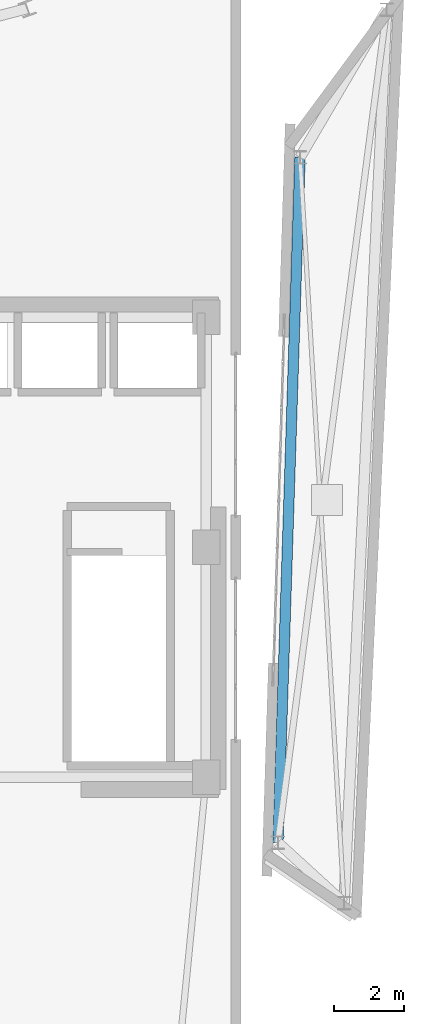
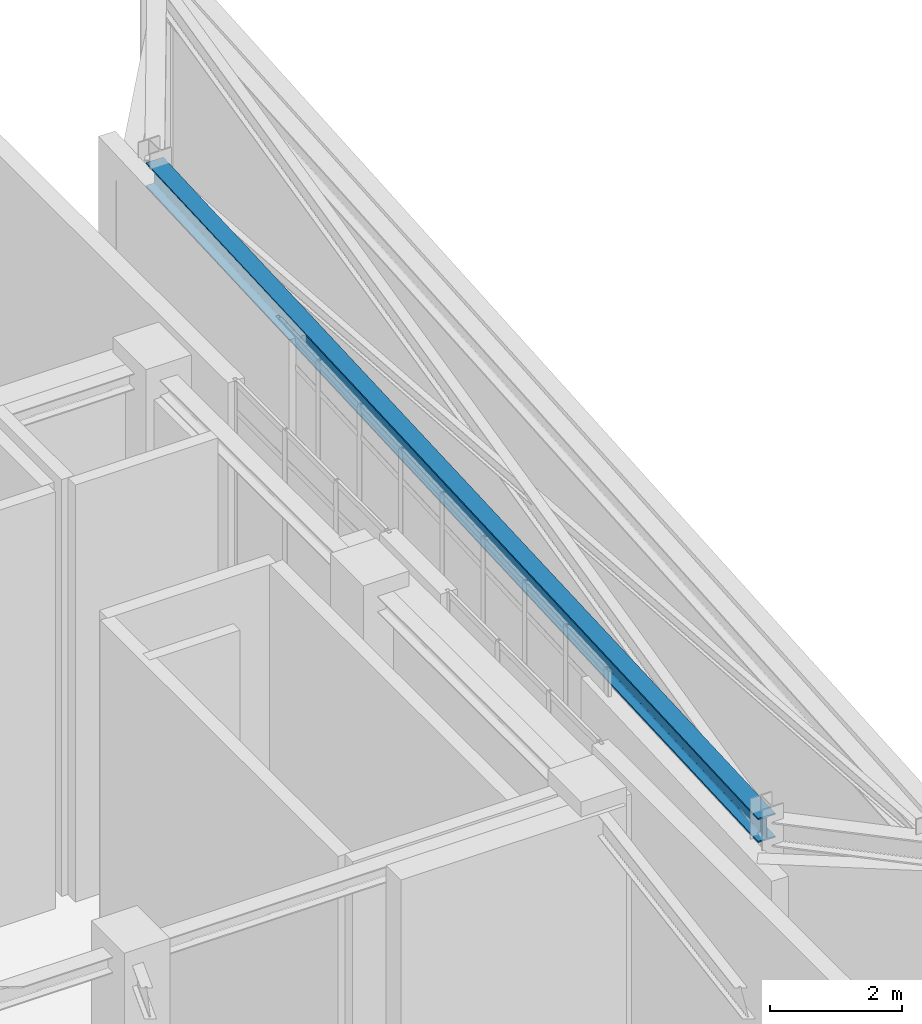
# One storey, part 5 of 12: 1 beam.
"""IFC4 building model written with IfcOpenShell, lengths in metres."""

from ifc_helpers import new_model, si_unit, direction, frame, origin, origin_2d, place, context, subcontext, project, spatial, i_section, extrude, material, material_profile, profile_set, type_object, element, save


model = new_model("IFC4")

# Units and contexts
model_context = context("Model", 3, precision=1e-05, world=origin(), true_north=direction((0.0, 1.0)))
body_context = subcontext(model_context, "Body", "Model", "MODEL_VIEW")
ifc_project = project(units=[si_unit("LENGTHUNIT", "METRE"), si_unit("AREAUNIT", "SQUARE_METRE"), si_unit("VOLUMEUNIT", "CUBIC_METRE"), si_unit("PLANEANGLEUNIT", "RADIAN"), si_unit("MASSUNIT", "GRAM", prefix="KILO")], contexts=[model_context])

# Site, building, storey
site_placement = place(None, origin())
site = spatial("IfcSite", under=ifc_project, at=site_placement, CompositionType="ELEMENT")
building_placement = place(site_placement, origin())
building = spatial("IfcBuilding", under=site, at=building_placement, Name="Ndelora Gate Hotel", CompositionType="ELEMENT")
storey_placement = place(building_placement, frame((0.0, 0.0, 303.60009765625)))
storey = spatial("IfcBuildingStorey", under=building, at=storey_placement, Name="RF1", CompositionType="ELEMENT", Elevation=303.60009765625)

# Beam
ifc_material = material(Name="Steel S355", Category="steel")
ifc_material_profile = material_profile(ifc_material, i_section(OverallWidth=0.300048828125, OverallDepth=0.449951171875, WebThickness=0.013916015625, FlangeThickness=0.02587890625, FilletRadius=0.027099609375, at=origin_2d()), Name="HEB 450")
ifc_profile_set = profile_set([ifc_material_profile], Name="Steel S355")
beam_type = type_object("IfcBeamType", Name="BM-RING-450", PredefinedType="SPANDREL", material=ifc_profile_set)
beam_placement = place(storey_placement, frame((10.692138671875, 11.19091796875, 7.494873046875), z_axis=(-0.032242893106, -0.999480062755, 0.0), x_axis=(0.999480062755, -0.032242893106, 0.0)))
element("IfcBeam", 1, at=beam_placement, inside=storey, type_object=beam_type, Name="RF1 structural beam RB-5", PredefinedType="SPANDREL", context=body_context, shape_type="SweptSolid", body=[
    extrude(i_section(OverallWidth=0.300048828125, OverallDepth=0.449951171875, WebThickness=0.013916015625, FlangeThickness=0.02587890625, FilletRadius=0.027099609375, at=origin_2d()), origin(), (0.0, 0.0, 1.0), 19.679443359375),
])

save(model, "model.ifc")
